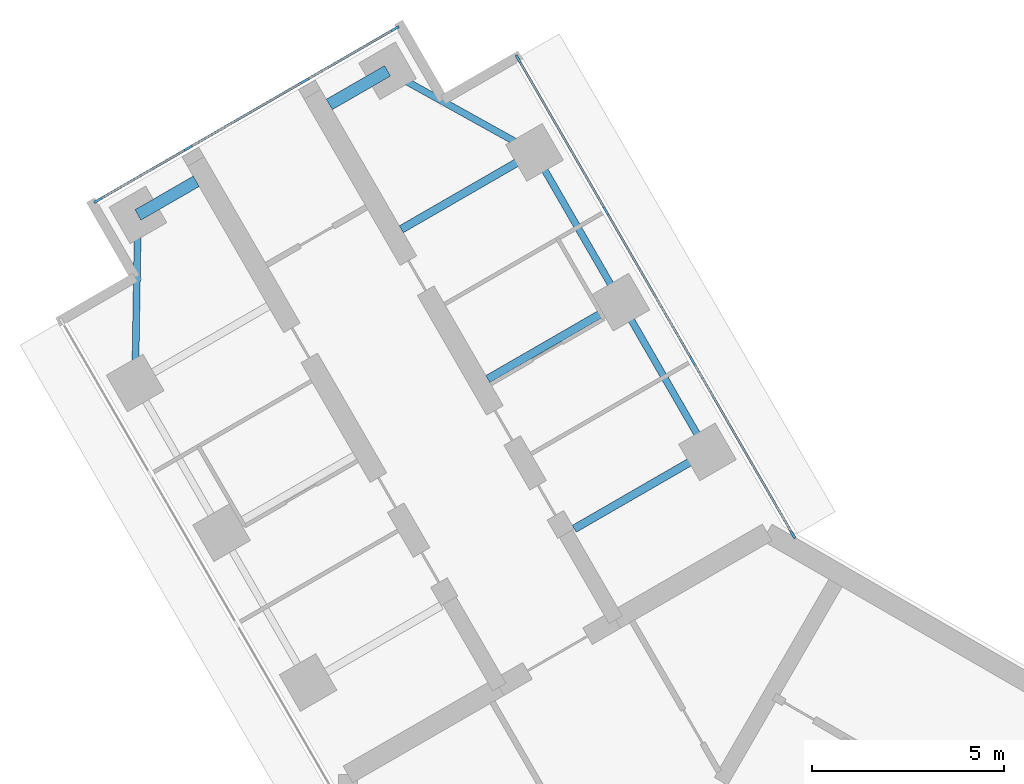
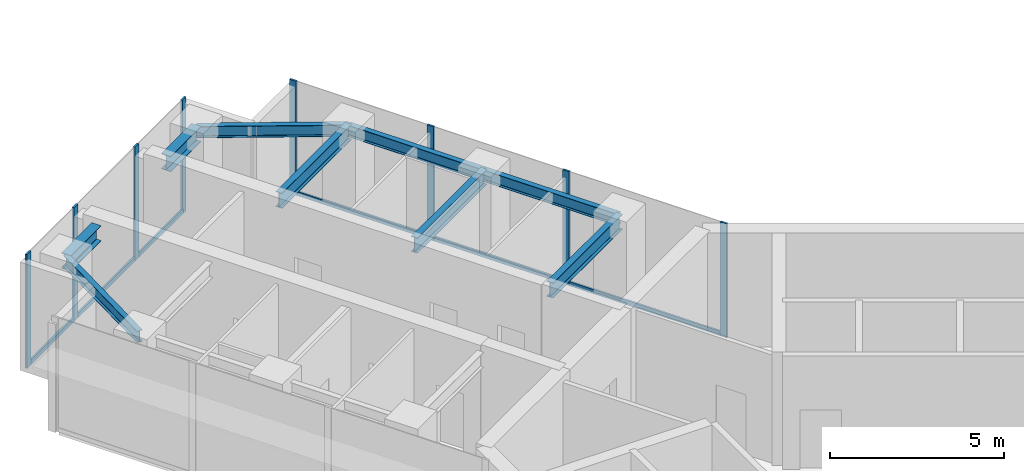
# One storey, part 6 of 17: 14 members, 9 beams, 2 elements without a shape of their own.
"""IFC4 building model written with IfcOpenShell, lengths in metres."""

import ifcopenshell
import ifcopenshell.guid

model = None  # the IFC model being written
_history = None  # IfcOwnerHistory: only IFC2X3 demands one
_inside = {}  # id of a spatial element -> (the spatial element, [elements in it])
_under = {}  # id of a project, library or spatial element -> (it, [spatial elements below it])
_declared = {}  # id of a project -> (the project, [libraries it declares])
_typed = {}  # id of a type object -> (the type object, [elements of that type])
_made_of = {}  # id of a material, layer set ... -> (it, [elements and type objects made of it])


def new_model(schema):
    """Start an empty IFC model of exactly this schema.

    Asked for "IFC4X3", IfcOpenShell would pick the latest addendum, in which some entities
    have other attributes; the version numbers below select the first issue.
    IFC2X3 requires an IfcOwnerHistory on every rooted entity: one is made here for all.
    """
    global model, _history
    if schema == "IFC4X3":
        model = ifcopenshell.file(schema_version=(4, 3, 0, 0))
    else:
        model = ifcopenshell.file(schema=schema)
    _inside.clear()
    _under.clear()
    _declared.clear()
    _typed.clear()
    _made_of.clear()
    _history = None
    if model.schema == "IFC2X3":
        org = make("IfcOrganization", Name="unknown")
        user = make(
            "IfcPersonAndOrganization",
            ThePerson=make("IfcPerson", FamilyName="unknown"),
            TheOrganization=org,
        )
        app = make(
            "IfcApplication",
            ApplicationDeveloper=org,
            Version="unknown",
            ApplicationFullName="unknown",
            ApplicationIdentifier="unknown",
        )
        _history = make(
            "IfcOwnerHistory",
            OwningUser=user,
            OwningApplication=app,
            ChangeAction="ADDED",
            CreationDate=0,
        )
    return model


def make(cls, **values):
    """One entity of the class cls with the attributes given. An attribute that is None is left unset."""
    return model.create_entity(
        cls, **{name: value for name, value in values.items() if value is not None}
    )


def rooted(cls, **values):
    """An entity with a GlobalId (a new one), such as an element, a storey or a relation."""
    return make(cls, GlobalId=ifcopenshell.guid.new(), OwnerHistory=_history, **values)


def si_unit(unit_type, name, prefix=None):
    """IfcSIUnit, for example si_unit("LENGTHUNIT", "METRE", prefix="MILLI")."""
    return make("IfcSIUnit", UnitType=unit_type, Prefix=prefix, Name=name)


def assignment(units):
    """IfcUnitAssignment: the units of a project."""
    return None if units is None else make("IfcUnitAssignment", Units=units)


def point(xyz):
    """IfcCartesianPoint."""
    return None if xyz is None else make("IfcCartesianPoint", Coordinates=xyz)


def direction(xyz):
    """IfcDirection."""
    return None if xyz is None else make("IfcDirection", DirectionRatios=xyz)


def frame(location, z_axis=None, x_axis=None):
    """IfcAxis2Placement3D, a coordinate frame: its origin and axes. An axis left out is left unset."""
    return make(
        "IfcAxis2Placement3D",
        Location=point(location),
        Axis=direction(z_axis),
        RefDirection=direction(x_axis),
    )


def frame_2d(location, x_axis=None):
    """IfcAxis2Placement2D, a coordinate frame in the plane: its origin and x axis."""
    return make(
        "IfcAxis2Placement2D", Location=point(location), RefDirection=direction(x_axis)
    )


def origin():
    """The frame at (0, 0, 0) with its axes left unset."""
    return frame((0.0, 0.0, 0.0))


def origin_2d():
    """The frame at (0, 0) in the plane with its x axis left unset."""
    return frame_2d((0.0, 0.0))


def place(relative_to, where):
    """IfcLocalPlacement: puts the frame where relative to a parent placement (None: the world)."""
    return make(
        "IfcLocalPlacement", PlacementRelTo=relative_to, RelativePlacement=where
    )


def context(
    kind, dimensions, precision=None, world=None, true_north=None, identifier=None
):
    """IfcGeometricRepresentationContext, for example the 3D "Model" context."""
    return make(
        "IfcGeometricRepresentationContext",
        ContextIdentifier=identifier,
        ContextType=kind,
        CoordinateSpaceDimension=dimensions,
        Precision=precision,
        WorldCoordinateSystem=world,
        TrueNorth=true_north,
    )


def subcontext(parent, identifier, kind, view, scale=None):
    """IfcGeometricRepresentationSubContext, for example "Body" below "Model"."""
    return make(
        "IfcGeometricRepresentationSubContext",
        ContextIdentifier=identifier,
        ContextType=kind,
        ParentContext=parent,
        TargetScale=scale,
        TargetView=view,
    )


def project(units=None, contexts=None):
    """IfcProject with its units and contexts."""
    return rooted(
        "IfcProject",
        Name="project",
        RepresentationContexts=contexts,
        UnitsInContext=assignment(units),
    )


def spatial(cls, under=None, at=None, **own):
    """A site, building, storey or space (cls), placed at a placement, below another one or the project."""
    s = rooted(cls, ObjectPlacement=at, **own)
    if under is not None:
        _under.setdefault(under.id(), (under, []))[1].append(s)
    return s


def profile(cls, at=None, kind="AREA", **sizes):
    """A parametric profile (cls). Its sizes go by their IFC names, for example OverallWidth=200.0."""
    return make(cls, ProfileType=kind, Position=at, **sizes)


def rectangle(**sizes):
    """IfcRectangleProfileDef."""
    return profile("IfcRectangleProfileDef", **sizes)


def i_section(**sizes):
    """IfcIShapeProfileDef."""
    return profile("IfcIShapeProfileDef", **sizes)


def extrude(swept, where, along, depth):
    """IfcExtrudedAreaSolid: the profile swept, set in the frame where, extruded along a direction by depth."""
    return make(
        "IfcExtrudedAreaSolid",
        SweptArea=swept,
        Position=where,
        ExtrudedDirection=direction(along),
        Depth=depth,
    )


def shape(context_of_items, identifier, shape_type, items):
    """IfcShapeRepresentation: the items that make up one representation, for example the "Body"."""
    return make(
        "IfcShapeRepresentation",
        ContextOfItems=context_of_items,
        RepresentationIdentifier=identifier,
        RepresentationType=shape_type,
        Items=items,
    )


def material(Name=None, Category=None):
    """IfcMaterial."""
    return make("IfcMaterial", Name=Name, Category=Category)


def material_profile(
    of_material, cross_section, Name=None, Category=None, Priority=None
):
    """IfcMaterialProfile: a cross section and its material."""
    return make(
        "IfcMaterialProfile",
        Name=Name,
        Material=of_material,
        Profile=cross_section,
        Priority=Priority,
        Category=Category,
    )


def profile_set(profiles, Name=None, composite=None):
    """IfcMaterialProfileSet."""
    return make(
        "IfcMaterialProfileSet",
        Name=Name,
        MaterialProfiles=profiles,
        CompositeProfile=composite,
    )


def made_of(thing, what):
    """Note that an element or type object is made of a material, layer set ...; save() writes the relation."""
    if what is not None:
        _made_of.setdefault(what.id(), (what, []))[1].append(thing)
    return thing


def type_object(cls, material=None, **own):
    """A type object (cls), such as IfcWallType, which elements share."""
    return made_of(rooted(cls, **own), material)


def element(
    cls,
    number,
    at=None,
    inside=None,
    cuts=None,
    type_object=None,
    material=None,
    context=None,
    identifier="Body",
    shape_type=None,
    held_by="IfcProductDefinitionShape",
    body=None,
    shapes=None,
    **own,
):
    """One element of the class cls, such as IfcWall. Its Tag is "e" and its number.

    at: its placement. inside: the storey or other place that contains it. cuts: it is an
    opening in that element (IfcRelVoidsElement). A single representation is given by context,
    identifier, shape_type and body (its items); several are given by shapes. held_by: the class
    of the entity that holds the representations. save() writes the other relations.
    """
    e = rooted(cls, Tag="e%d" % number, ObjectPlacement=at, **own)
    if body is not None:
        shapes = [shape(context, identifier, shape_type, body)]
    if shapes is not None:
        e.Representation = make(held_by, Representations=shapes)
    if inside is not None:
        _inside.setdefault(inside.id(), (inside, []))[1].append(e)
    if cuts is not None:
        rooted(
            "IfcRelVoidsElement", RelatingBuildingElement=cuts, RelatedOpeningElement=e
        )
    if type_object is not None:
        _typed.setdefault(type_object.id(), (type_object, []))[1].append(e)
    return made_of(e, material)


def aggregate(whole, parts):
    """IfcRelAggregates: a whole, such as a stair, and the parts it consists of."""
    return rooted("IfcRelAggregates", RelatingObject=whole, RelatedObjects=parts)


def save(model, path):
    """Write the relations noted so far, then the file.

    IfcRelAggregates (storeys below a building ...), IfcRelContainedInSpatialStructure (elements
    in a storey), IfcRelDefinesByType, IfcRelAssociatesMaterial and IfcRelDeclares: one each for
    every whole, place, type object, material and project.
    """
    for whole, parts in _under.values():
        aggregate(whole, parts)
    for where, things in _inside.values():
        rooted(
            "IfcRelContainedInSpatialStructure",
            RelatedElements=things,
            RelatingStructure=where,
        )
    for kind, things in _typed.values():
        rooted("IfcRelDefinesByType", RelatedObjects=things, RelatingType=kind)
    for what, things in _made_of.values():
        rooted("IfcRelAssociatesMaterial", RelatedObjects=things, RelatingMaterial=what)
    for by, libraries in _declared.values():
        rooted("IfcRelDeclares", RelatingContext=by, RelatedDefinitions=libraries)
    model.write(path)


model = new_model("IFC4")

# Units and contexts
model_context = context("Model", 3, precision=1e-05, world=origin(), true_north=direction((0.0, 1.0)))
body_context = subcontext(model_context, "Body", "Model", "MODEL_VIEW")
ifc_project = project(units=[si_unit("LENGTHUNIT", "METRE"), si_unit("AREAUNIT", "SQUARE_METRE"), si_unit("VOLUMEUNIT", "CUBIC_METRE"), si_unit("PLANEANGLEUNIT", "RADIAN"), si_unit("MASSUNIT", "GRAM", prefix="KILO")], contexts=[model_context])

# Site, building, storey
site_placement = place(None, origin())
site = spatial("IfcSite", under=ifc_project, at=site_placement, CompositionType="ELEMENT")
building_placement = place(site_placement, origin())
building = spatial("IfcBuilding", under=site, at=building_placement, Name="Upepo Twin Towers", CompositionType="ELEMENT")
storey_placement = place(building_placement, frame((0.0, 0.0, 230.5)))
storey = spatial("IfcBuildingStorey", under=building, at=storey_placement, Name="L56", CompositionType="ELEMENT", Elevation=230.5)

# Beams
ifc_material_1 = material(Name="Steel S355", Category="steel")
ifc_material_profile_1 = material_profile(ifc_material_1, i_section(OverallWidth=0.177978515625, OverallDepth=0.406494140625, WebThickness=0.0078125, FlangeThickness=0.0126953125, FilletRadius=0.01025390625, at=origin_2d()), Name="UB 406x178x60")
ifc_profile_set_1 = profile_set([ifc_material_profile_1], Name="Steel S355")
beam_type_1 = type_object("IfcBeamType", Name="Beam UB 406x178x60", PredefinedType="BEAM", material=ifc_profile_set_1)
beam_1_placement = place(storey_placement, frame((-16.446044921875, 16.485595703125, 3.5966796875), z_axis=(0.016803880528, 0.999858804832, 0.0), x_axis=(-0.999858804832, 0.016803880528, 0.0)))
element("IfcBeam", 1, at=beam_1_placement, inside=storey, type_object=beam_type_1, Name="T1 nose edge beam BL", PredefinedType="BEAM", context=body_context, shape_type="SweptSolid", body=[
    extrude(i_section(OverallWidth=0.177978515625, OverallDepth=0.406494140625, WebThickness=0.0078125, FlangeThickness=0.0126953125, FilletRadius=0.01025390625, at=origin_2d()), origin(), (0.0, 0.0, 1.0), 4.373291015625),
])
beam_2_placement = place(storey_placement, frame((-1.553955078125, 14.69140625, 3.5966796875), z_axis=(-0.500013631625, 0.866017533419, 0.0), x_axis=(-0.866017533419, -0.500013631625, 0.0)))
element("IfcBeam", 2, at=beam_2_placement, inside=storey, type_object=beam_type_1, Name="T1 edge beam BR 13.5-18.0", PredefinedType="BEAM", context=body_context, shape_type="SweptSolid", body=[
    extrude(i_section(OverallWidth=0.177978515625, OverallDepth=0.406494140625, WebThickness=0.0078125, FlangeThickness=0.0126953125, FilletRadius=0.01025390625, at=origin_2d()), origin(), (0.0, 0.0, 1.0), 4.499755859375),
])
beam_3_placement = place(storey_placement, frame((-3.803955078125, 18.58837890625, 3.5966796875), z_axis=(-0.499990139034, 0.866031096941, 0.0), x_axis=(-0.866031096941, -0.499990139034, 0.0)))
element("IfcBeam", 3, at=beam_3_placement, inside=storey, type_object=beam_type_1, Name="T1 edge beam BR 18.0-22.5", PredefinedType="BEAM", context=body_context, shape_type="SweptSolid", body=[
    extrude(i_section(OverallWidth=0.177978515625, OverallDepth=0.406494140625, WebThickness=0.0078125, FlangeThickness=0.0126953125, FilletRadius=0.01025390625, at=origin_2d()), origin(), (0.0, 0.0, 1.0), 4.5),
])
beam_4_placement = place(storey_placement, frame((-6.053955078125, 22.485595703125, 3.5966796875), z_axis=(-0.874312600038, 0.485363242752, 0.0), x_axis=(-0.485363242752, -0.874312600038, 0.0)))
element("IfcBeam", 4, at=beam_4_placement, inside=storey, type_object=beam_type_1, Name="T1 nose edge beam BR", PredefinedType="BEAM", context=body_context, shape_type="SweptSolid", body=[
    extrude(i_section(OverallWidth=0.177978515625, OverallDepth=0.406494140625, WebThickness=0.0078125, FlangeThickness=0.0126953125, FilletRadius=0.01025390625, at=origin_2d()), origin(), (0.0, 0.0, 1.0), 4.373046875),
])
ifc_material_2 = material(Name="Steel S355", Category="steel")
ifc_material_profile_2 = material_profile(ifc_material_2, i_section(OverallWidth=0.209228515625, OverallDepth=0.533203125, WebThickness=0.010009765625, FlangeThickness=0.015625, FilletRadius=0.0126953125, at=origin_2d()), Name="UB 533x210x92")
ifc_profile_set_2 = profile_set([ifc_material_profile_2], Name="Steel S355")
beam_type_2 = type_object("IfcBeamType", Name="Beam UB 533x210x92", PredefinedType="BEAM", material=ifc_profile_set_2)
for number, where, z_axis, x_axis, name in (
    (5, (-1.553955078125, 14.69140625, 3.533447265625), (-0.866026010844, -0.49999894854, 0.0), (0.49999894854, -0.866026010844, 0.0), "T1 girder BR at 13.5"),
    (6, (-3.803955078125, 18.58837890625, 3.533447265625), (-0.866026010844, -0.49999894854, 0.0), (0.49999894854, -0.866026010844, 0.0), "T1 girder BR at 18.0"),
    (7, (-6.053955078125, 22.485595703125, 3.533447265625), (-0.866026010844, -0.49999894854, 0.0), (0.49999894854, -0.866026010844, 0.0), "T1 girder BR at 22.5"),
):
    element("IfcBeam", number, at=place(storey_placement, frame(where, z_axis=z_axis, x_axis=x_axis)), inside=storey, type_object=beam_type_2, Name=name, PredefinedType="BEAM", context=body_context, shape_type="SweptSolid", body=[
        extrude(i_section(OverallWidth=0.209228515625, OverallDepth=0.533203125, WebThickness=0.010009765625, FlangeThickness=0.015625, FilletRadius=0.0126953125, at=origin_2d()), origin(), (0.0, 0.0, 1.0), 4.0),
    ])
ifc_material_3 = material(Name="Steel S355", Category="steel")
ifc_material_profile_3 = material_profile(ifc_material_3, i_section(OverallWidth=0.31201171875, OverallDepth=0.54345703125, WebThickness=0.0126953125, FlangeThickness=0.020263671875, FilletRadius=0.0126953125, at=origin_2d()), Name="UB 533x312x150")
ifc_profile_set_3 = profile_set([ifc_material_profile_3], Name="Steel S355")
beam_type_3 = type_object("IfcBeamType", Name="Beam UB 533x312x150", PredefinedType="BEAM", material=ifc_profile_set_3)
for number, where, z_axis, x_axis, name in (
    (8, (-16.37255859375, 20.858154296875, 3.5283203125), (0.866036909293, 0.499980071345, 0.0), (-0.499980071345, 0.866036909293, 0.0), "T1 nose beam BL"),
    (9, (-9.87744140625, 24.608154296875, 3.5283203125), (-0.866036909293, -0.499980071345, 0.0), (0.499980071345, -0.866036909293, 0.0), "T1 nose beam BR"),
):
    element("IfcBeam", number, at=place(storey_placement, frame(where, z_axis=z_axis, x_axis=x_axis)), inside=storey, type_object=beam_type_3, Name=name, PredefinedType="BEAM", context=body_context, shape_type="SweptSolid", body=[
        extrude(i_section(OverallWidth=0.31201171875, OverallDepth=0.54345703125, WebThickness=0.0126953125, FlangeThickness=0.020263671875, FilletRadius=0.0126953125, at=origin_2d()), origin(), (0.0, 0.0, 1.0), 1.75),
    ])

# Curtain wall, members
ifc_material_4 = material(Name="Aluminium and fritted glass", Category="aluminium")
curtain_wall_type = type_object("IfcCurtainWallType", Name="Tower curtain wall TW3, fritted glass", PredefinedType="NOTDEFINED", material=ifc_material_4)
curtain_wall_1_placement = place(storey_placement, origin())
curtain_wall_1 = element("IfcCurtainWall", 10, at=curtain_wall_1_placement, inside=storey, type_object=curtain_wall_type, Name="T1 L56 wing B flank R curtain wall", PredefinedType="NOTDEFINED")
ifc_material_5 = material(Name="Aluminium mullion", Category="aluminium")
ifc_material_profile_4 = material_profile(ifc_material_5, rectangle(XDim=0.06494140625, YDim=0.22509765625, at=origin_2d()), Name="MULLION 65x225")
ifc_profile_set_4 = profile_set([ifc_material_profile_4], Name="Aluminium mullion")
member_type_1 = type_object("IfcMemberType", Name="Mullion 65x225 TW3", PredefinedType="MULLION", material=ifc_profile_set_4)
member_1_placement = place(storey_placement, frame((-6.4765625, 24.91748046875, 0.0), z_axis=(0.0, 0.0, 1.0), x_axis=(0.866025388469, 0.500000026527, 0.0)))
member_1 = element("IfcMember", 11, at=member_1_placement, type_object=member_type_1, Name="T1 L56 wing B flank R curtain wall mullion 1", PredefinedType="MULLION", context=body_context, shape_type="SweptSolid", body=[
    extrude(rectangle(XDim=0.06494140625, YDim=0.22509765625, at=origin_2d()), origin(), (0.0, 0.0, 1.0), 4.0),
])
member_2_placement = place(storey_placement, frame((-4.192626953125, 20.9619140625, 0.0), z_axis=(0.0, 0.0, 1.0), x_axis=(0.866025388469, 0.500000026527, 0.0)))
member_2 = element("IfcMember", 12, at=member_2_placement, type_object=member_type_1, Name="T1 L56 wing B flank R curtain wall mullion 2", PredefinedType="MULLION", context=body_context, shape_type="SweptSolid", body=[
    extrude(rectangle(XDim=0.06494140625, YDim=0.22509765625, at=origin_2d()), origin(), (0.0, 0.0, 1.0), 4.0),
])
member_3_placement = place(storey_placement, frame((-1.942626953125, 17.06494140625, 0.0), z_axis=(0.0, 0.0, 1.0), x_axis=(0.866025388469, 0.500000026527, 0.0)))
member_3 = element("IfcMember", 13, at=member_3_placement, type_object=member_type_1, Name="T1 L56 wing B flank R curtain wall mullion 3", PredefinedType="MULLION", context=body_context, shape_type="SweptSolid", body=[
    extrude(rectangle(XDim=0.06494140625, YDim=0.22509765625, at=origin_2d()), origin(), (0.0, 0.0, 1.0), 4.0),
])
member_4_placement = place(storey_placement, frame((0.67236328125, 12.53515625, 0.0), z_axis=(0.0, 0.0, 1.0), x_axis=(0.866025388469, 0.500000026527, 0.0)))
member_4 = element("IfcMember", 14, at=member_4_placement, type_object=member_type_1, Name="T1 L56 wing B flank R curtain wall mullion 4", PredefinedType="MULLION", context=body_context, shape_type="SweptSolid", body=[
    extrude(rectangle(XDim=0.06494140625, YDim=0.22509765625, at=origin_2d()), origin(), (0.0, 0.0, 1.0), 4.0),
])

curtain_wall_2_placement = place(storey_placement, origin())
curtain_wall_2 = element("IfcCurtainWall", 15, at=curtain_wall_2_placement, inside=storey, type_object=curtain_wall_type, Name="T1 L56 wing B nose curtain wall", PredefinedType="NOTDEFINED")
member_5_placement = place(storey_placement, frame((-9.68115234375, 25.703125, 0.0), z_axis=(0.0, 0.0, 1.0), x_axis=(0.500000030502, -0.866025386174, 0.0)))
member_5 = element("IfcMember", 16, at=member_5_placement, type_object=member_type_1, Name="T1 L56 wing B nose curtain wall mullion 1", PredefinedType="MULLION", context=body_context, shape_type="SweptSolid", body=[
    extrude(rectangle(XDim=0.06494140625, YDim=0.22509765625, at=origin_2d()), origin(), (0.0, 0.0, 1.0), 4.0),
])
member_6_placement = place(storey_placement, frame((-12.034423828125, 24.34423828125, 0.0), z_axis=(0.0, 0.0, 1.0), x_axis=(0.500000030502, -0.866025386174, 0.0)))
member_6 = element("IfcMember", 17, at=member_6_placement, type_object=member_type_1, Name="T1 L56 wing B nose curtain wall mullion 2", PredefinedType="MULLION", context=body_context, shape_type="SweptSolid", body=[
    extrude(rectangle(XDim=0.06494140625, YDim=0.22509765625, at=origin_2d()), origin(), (0.0, 0.0, 1.0), 4.0),
])
member_7_placement = place(storey_placement, frame((-15.0654296875, 22.59423828125, 0.0), z_axis=(0.0, 0.0, 1.0), x_axis=(0.500000030502, -0.866025386174, 0.0)))
member_7 = element("IfcMember", 18, at=member_7_placement, type_object=member_type_1, Name="T1 L56 wing B nose curtain wall mullion 3", PredefinedType="MULLION", context=body_context, shape_type="SweptSolid", body=[
    extrude(rectangle(XDim=0.06494140625, YDim=0.22509765625, at=origin_2d()), origin(), (0.0, 0.0, 1.0), 4.0),
])
member_8_placement = place(storey_placement, frame((-17.4189453125, 21.235595703125, 0.0), z_axis=(0.0, 0.0, 1.0), x_axis=(0.500000030502, -0.866025386174, 0.0)))
member_8 = element("IfcMember", 19, at=member_8_placement, type_object=member_type_1, Name="T1 L56 wing B nose curtain wall mullion 4", PredefinedType="MULLION", context=body_context, shape_type="SweptSolid", body=[
    extrude(rectangle(XDim=0.06494140625, YDim=0.22509765625, at=origin_2d()), origin(), (0.0, 0.0, 1.0), 4.0),
])

# Member
ifc_material_6 = material(Name="Aluminium transom", Category="aluminium")
ifc_material_profile_5 = material_profile(ifc_material_6, rectangle(XDim=0.06494140625, YDim=0.14990234375, at=origin_2d()), Name="TRANSOM 65x150")
ifc_profile_set_5 = profile_set([ifc_material_profile_5], Name="Aluminium transom")
member_type_2 = type_object("IfcMemberType", Name="Transom 65x150 TW3", PredefinedType="USERDEFINED", material=ifc_profile_set_5)
member_9_placement = place(storey_placement, frame((-6.460205078125, 24.889404296875, 0.074951171875), z_axis=(0.500005646842, -0.866022143554, 0.0), x_axis=(0.866022143554, 0.500005646842, 0.0)))
member_9 = element("IfcMember", 20, at=member_9_placement, type_object=member_type_2, Name="T1 L56 wing B flank R curtain wall transom 1", ObjectType="TRANSOM", PredefinedType="USERDEFINED", context=body_context, shape_type="SweptSolid", body=[
    extrude(rectangle(XDim=0.06494140625, YDim=0.14990234375, at=origin_2d()), origin(), (0.0, 0.0, 1.0), 4.50244140625),
])

member_10_placement = place(storey_placement, frame((-4.176513671875, 20.933837890625, 0.074951171875), z_axis=(0.500005184116, -0.866022410713, 0.0), x_axis=(0.866022410713, 0.500005184116, 0.0)))
member_10 = element("IfcMember", 21, at=member_10_placement, type_object=member_type_2, Name="T1 L56 wing B flank R curtain wall transom 2", ObjectType="TRANSOM", PredefinedType="USERDEFINED", context=body_context, shape_type="SweptSolid", body=[
    extrude(rectangle(XDim=0.06494140625, YDim=0.14990234375, at=origin_2d()), origin(), (0.0, 0.0, 1.0), 4.43505859375),
])

member_11_placement = place(storey_placement, frame((-1.926513671875, 17.036865234375, 0.074951171875), z_axis=(0.500007480159, -0.86602108507, 0.0), x_axis=(0.86602108507, 0.500007480159, 0.0)))
member_11 = element("IfcMember", 22, at=member_11_placement, type_object=member_type_2, Name="T1 L56 wing B flank R curtain wall transom 3", ObjectType="TRANSOM", PredefinedType="USERDEFINED", context=body_context, shape_type="SweptSolid", body=[
    extrude(rectangle(XDim=0.06494140625, YDim=0.14990234375, at=origin_2d()), origin(), (0.0, 0.0, 1.0), 5.16552734375),
])

aggregate(curtain_wall_1, [member_1, member_2, member_3, member_4, member_9, member_10, member_11])

member_12_placement = place(storey_placement, frame((-9.709228515625, 25.686767578125, 0.074951171875), z_axis=(-0.866036909293, -0.499980071345, 0.0), x_axis=(0.499980071345, -0.866036909293, 0.0)))
member_12 = element("IfcMember", 23, at=member_12_placement, type_object=member_type_2, Name="T1 L56 wing B nose curtain wall transom 1", ObjectType="TRANSOM", PredefinedType="USERDEFINED", context=body_context, shape_type="SweptSolid", body=[
    extrude(rectangle(XDim=0.06494140625, YDim=0.14990234375, at=origin_2d()), origin(), (0.0, 0.0, 1.0), 2.65234375),
])

member_13_placement = place(storey_placement, frame((-12.0625, 24.328125, 0.074951171875), z_axis=(-0.866025804792, -0.499999305434, 0.0), x_axis=(0.499999305434, -0.866025804792, 0.0)))
member_13 = element("IfcMember", 24, at=member_13_placement, type_object=member_type_2, Name="T1 L56 wing B nose curtain wall transom 2", ObjectType="TRANSOM", PredefinedType="USERDEFINED", context=body_context, shape_type="SweptSolid", body=[
    extrude(rectangle(XDim=0.06494140625, YDim=0.14990234375, at=origin_2d()), origin(), (0.0, 0.0, 1.0), 3.43505859375),
])

member_14_placement = place(storey_placement, frame((-15.09375, 22.578125, 0.074951171875), z_axis=(-0.865997053448, -0.500049101008, 0.0), x_axis=(0.500049101008, -0.865997053448, 0.0)))
member_14 = element("IfcMember", 25, at=member_14_placement, type_object=member_type_2, Name="T1 L56 wing B nose curtain wall transom 3", ObjectType="TRANSOM", PredefinedType="USERDEFINED", context=body_context, shape_type="SweptSolid", body=[
    extrude(rectangle(XDim=0.06494140625, YDim=0.14990234375, at=origin_2d()), origin(), (0.0, 0.0, 1.0), 2.652587890625),
])

aggregate(curtain_wall_2, [member_5, member_6, member_7, member_8, member_12, member_13, member_14])

save(model, "model.ifc")
